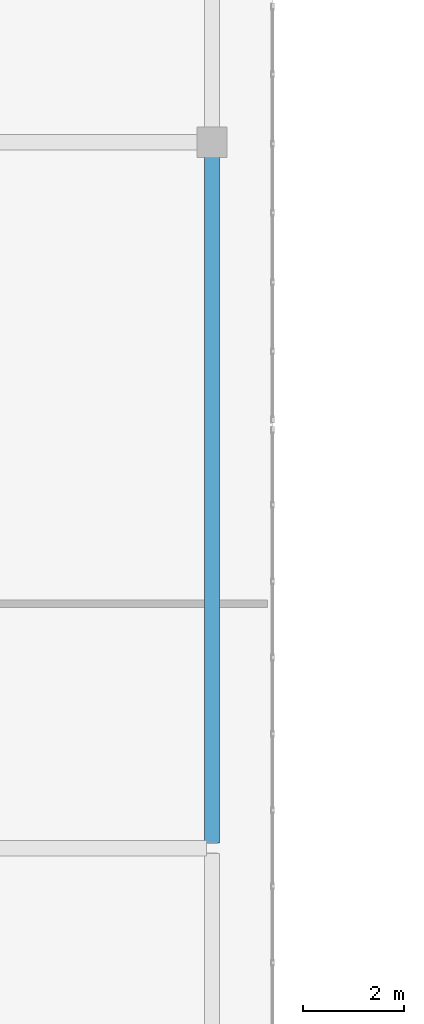
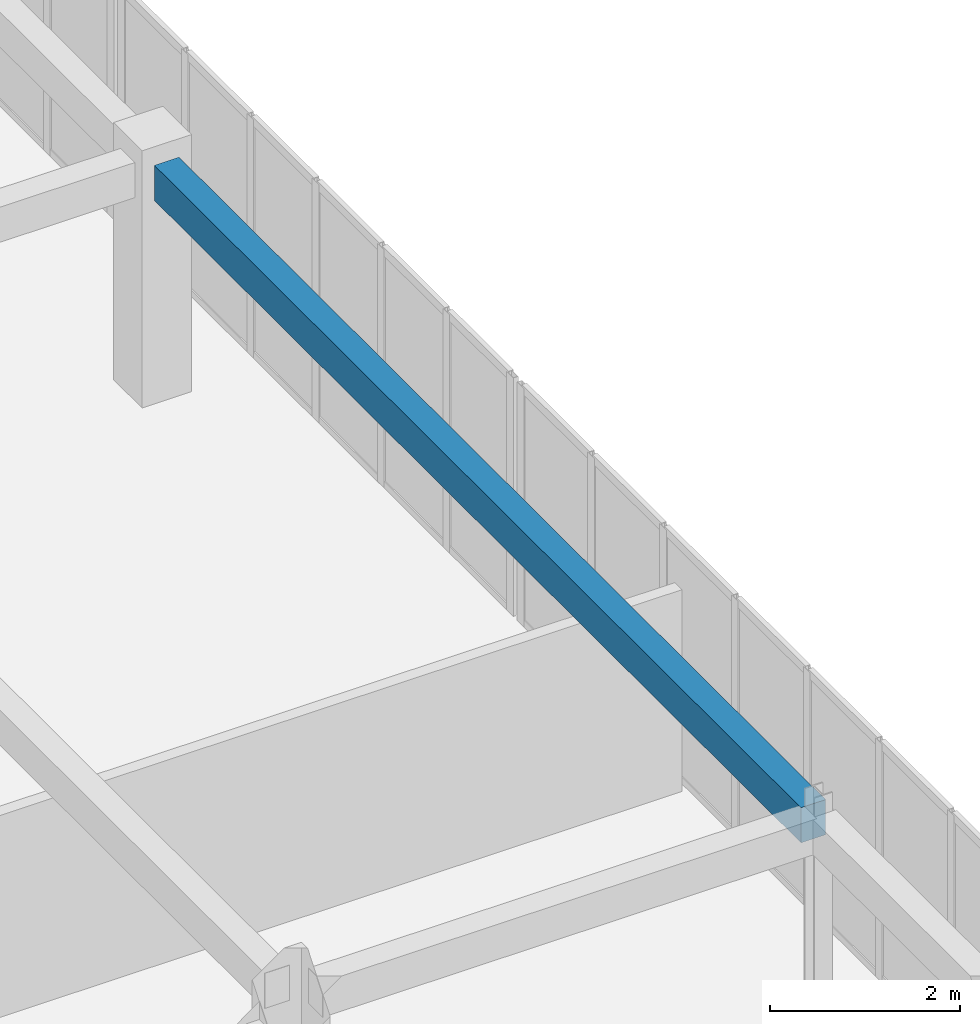
# One storey, part 110 of 200: 1 beam.
"""IFC4 building model written with IfcOpenShell, lengths in metres."""

from ifc_helpers import new_model, si_unit, direction, frame, origin, origin_2d, place, context, subcontext, project, spatial, rectangle, extrude, material, material_profile, profile_set, type_object, element, save


model = new_model("IFC4")

# Units and contexts
model_context = context("Model", 3, precision=1e-05, world=origin(), true_north=direction((0.0, 1.0)))
body_context = subcontext(model_context, "Body", "Model", "MODEL_VIEW")
ifc_project = project(units=[si_unit("LENGTHUNIT", "METRE"), si_unit("AREAUNIT", "SQUARE_METRE"), si_unit("VOLUMEUNIT", "CUBIC_METRE"), si_unit("PLANEANGLEUNIT", "RADIAN"), si_unit("MASSUNIT", "GRAM", prefix="KILO")], contexts=[model_context])

# Site, building, storey
site_placement = place(None, origin())
site = spatial("IfcSite", under=ifc_project, at=site_placement, CompositionType="ELEMENT")
building_placement = place(site_placement, origin())
building = spatial("IfcBuilding", under=site, at=building_placement, Name="Trelvath General Hospital", CompositionType="ELEMENT")
storey_placement = place(building_placement, frame((0.0, 0.0, 4.800048828125)))
storey = spatial("IfcBuildingStorey", under=building, at=storey_placement, Name="L01", CompositionType="ELEMENT", Elevation=4.800048828125)

# Beam
ifc_material = material(Name="Concrete C35/45", Category="concrete")
ifc_material_profile = material_profile(ifc_material, rectangle(XDim=0.300048828125, YDim=0.449951171875, at=origin_2d()), Name="RCB300x450")
ifc_profile_set = profile_set([ifc_material_profile], Name="Concrete C35/45")
beam_type = type_object("IfcBeamType", Name="Beam RC300x450", PredefinedType="BEAM", material=ifc_profile_set)
beam_placement = place(storey_placement, frame((120.0, 58.906005859375, 2.8349609375), z_axis=(0.0, 1.0, 0.0), x_axis=(-1.0, 0.0, 0.0)))
element("IfcBeam", 1, at=beam_placement, inside=storey, type_object=beam_type, Name="Cube Interior Ring Beam CUBE-E-T0 L01", PredefinedType="BEAM", context=body_context, shape_type="SweptSolid", body=[
    extrude(rectangle(XDim=0.300048828125, YDim=0.449951171875, at=origin_2d()), origin(), (0.0, 0.0, 1.0), 13.597900390625),
])

save(model, "model.ifc")
